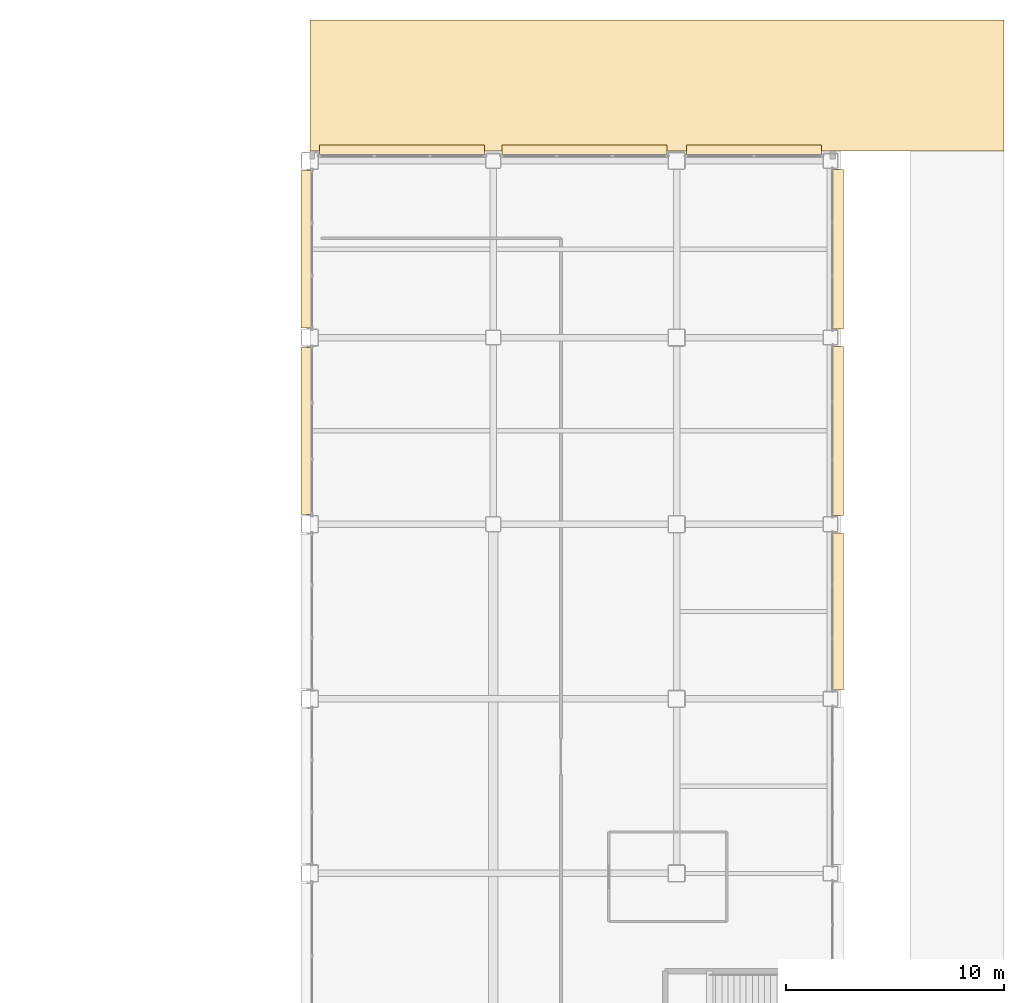
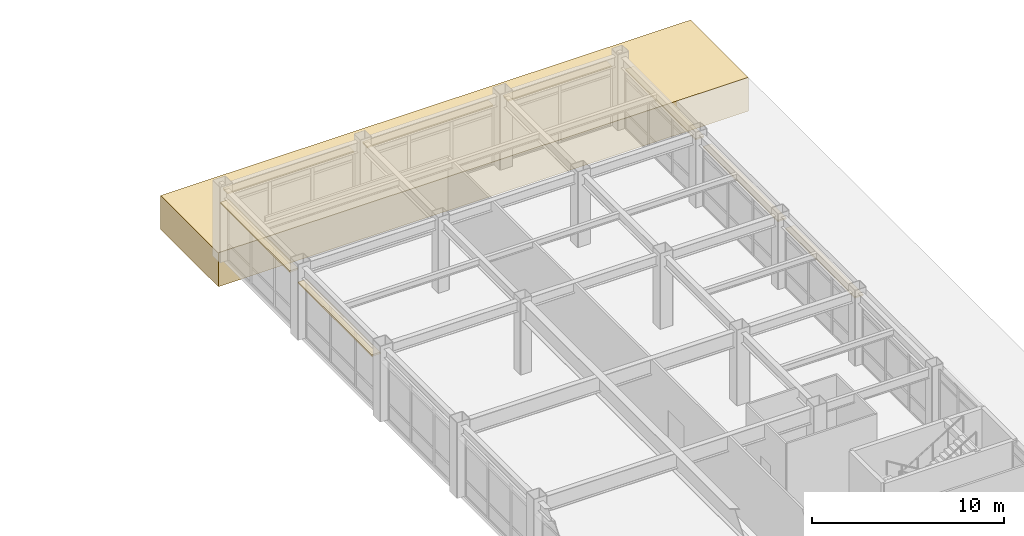
# One storey, part 172 of 172: 9 coverings.
"""IFC4 building model written with IfcOpenShell, lengths in metres."""

import ifcopenshell
import ifcopenshell.guid

model = None  # the IFC model being written
_history = None  # IfcOwnerHistory: only IFC2X3 demands one
_inside = {}  # id of a spatial element -> (the spatial element, [elements in it])
_under = {}  # id of a project, library or spatial element -> (it, [spatial elements below it])
_declared = {}  # id of a project -> (the project, [libraries it declares])
_typed = {}  # id of a type object -> (the type object, [elements of that type])
_made_of = {}  # id of a material, layer set ... -> (it, [elements and type objects made of it])


def new_model(schema):
    """Start an empty IFC model of exactly this schema.

    Asked for "IFC4X3", IfcOpenShell would pick the latest addendum, in which some entities
    have other attributes; the version numbers below select the first issue.
    IFC2X3 requires an IfcOwnerHistory on every rooted entity: one is made here for all.
    """
    global model, _history
    if schema == "IFC4X3":
        model = ifcopenshell.file(schema_version=(4, 3, 0, 0))
    else:
        model = ifcopenshell.file(schema=schema)
    _inside.clear()
    _under.clear()
    _declared.clear()
    _typed.clear()
    _made_of.clear()
    _history = None
    if model.schema == "IFC2X3":
        org = make("IfcOrganization", Name="unknown")
        user = make(
            "IfcPersonAndOrganization",
            ThePerson=make("IfcPerson", FamilyName="unknown"),
            TheOrganization=org,
        )
        app = make(
            "IfcApplication",
            ApplicationDeveloper=org,
            Version="unknown",
            ApplicationFullName="unknown",
            ApplicationIdentifier="unknown",
        )
        _history = make(
            "IfcOwnerHistory",
            OwningUser=user,
            OwningApplication=app,
            ChangeAction="ADDED",
            CreationDate=0,
        )
    return model


def make(cls, **values):
    """One entity of the class cls with the attributes given. An attribute that is None is left unset."""
    return model.create_entity(
        cls, **{name: value for name, value in values.items() if value is not None}
    )


def rooted(cls, **values):
    """An entity with a GlobalId (a new one), such as an element, a storey or a relation."""
    return make(cls, GlobalId=ifcopenshell.guid.new(), OwnerHistory=_history, **values)


def si_unit(unit_type, name, prefix=None):
    """IfcSIUnit, for example si_unit("LENGTHUNIT", "METRE", prefix="MILLI")."""
    return make("IfcSIUnit", UnitType=unit_type, Prefix=prefix, Name=name)


def assignment(units):
    """IfcUnitAssignment: the units of a project."""
    return None if units is None else make("IfcUnitAssignment", Units=units)


def point(xyz):
    """IfcCartesianPoint."""
    return None if xyz is None else make("IfcCartesianPoint", Coordinates=xyz)


def direction(xyz):
    """IfcDirection."""
    return None if xyz is None else make("IfcDirection", DirectionRatios=xyz)


def frame(location, z_axis=None, x_axis=None):
    """IfcAxis2Placement3D, a coordinate frame: its origin and axes. An axis left out is left unset."""
    return make(
        "IfcAxis2Placement3D",
        Location=point(location),
        Axis=direction(z_axis),
        RefDirection=direction(x_axis),
    )


def frame_2d(location, x_axis=None):
    """IfcAxis2Placement2D, a coordinate frame in the plane: its origin and x axis."""
    return make(
        "IfcAxis2Placement2D", Location=point(location), RefDirection=direction(x_axis)
    )


def origin():
    """The frame at (0, 0, 0) with its axes left unset."""
    return frame((0.0, 0.0, 0.0))


def origin_2d():
    """The frame at (0, 0) in the plane with its x axis left unset."""
    return frame_2d((0.0, 0.0))


def place(relative_to, where):
    """IfcLocalPlacement: puts the frame where relative to a parent placement (None: the world)."""
    return make(
        "IfcLocalPlacement", PlacementRelTo=relative_to, RelativePlacement=where
    )


def context(
    kind, dimensions, precision=None, world=None, true_north=None, identifier=None
):
    """IfcGeometricRepresentationContext, for example the 3D "Model" context."""
    return make(
        "IfcGeometricRepresentationContext",
        ContextIdentifier=identifier,
        ContextType=kind,
        CoordinateSpaceDimension=dimensions,
        Precision=precision,
        WorldCoordinateSystem=world,
        TrueNorth=true_north,
    )


def subcontext(parent, identifier, kind, view, scale=None):
    """IfcGeometricRepresentationSubContext, for example "Body" below "Model"."""
    return make(
        "IfcGeometricRepresentationSubContext",
        ContextIdentifier=identifier,
        ContextType=kind,
        ParentContext=parent,
        TargetScale=scale,
        TargetView=view,
    )


def project(units=None, contexts=None):
    """IfcProject with its units and contexts."""
    return rooted(
        "IfcProject",
        Name="project",
        RepresentationContexts=contexts,
        UnitsInContext=assignment(units),
    )


def spatial(cls, under=None, at=None, **own):
    """A site, building, storey or space (cls), placed at a placement, below another one or the project."""
    s = rooted(cls, ObjectPlacement=at, **own)
    if under is not None:
        _under.setdefault(under.id(), (under, []))[1].append(s)
    return s


def polyline(points):
    """IfcPolyline through the points."""
    return make("IfcPolyline", Points=[point(p) for p in points])


def profile(cls, at=None, kind="AREA", **sizes):
    """A parametric profile (cls). Its sizes go by their IFC names, for example OverallWidth=200.0."""
    return make(cls, ProfileType=kind, Position=at, **sizes)


def rectangle(**sizes):
    """IfcRectangleProfileDef."""
    return profile("IfcRectangleProfileDef", **sizes)


def outline(outer, holes=None, kind="AREA"):
    """IfcArbitraryClosedProfileDef: a profile drawn as a closed curve; with holes, ...WithVoids."""
    if holes is None:
        return make("IfcArbitraryClosedProfileDef", ProfileType=kind, OuterCurve=outer)
    return make(
        "IfcArbitraryProfileDefWithVoids",
        ProfileType=kind,
        OuterCurve=outer,
        InnerCurves=holes,
    )


def extrude(swept, where, along, depth):
    """IfcExtrudedAreaSolid: the profile swept, set in the frame where, extruded along a direction by depth."""
    return make(
        "IfcExtrudedAreaSolid",
        SweptArea=swept,
        Position=where,
        ExtrudedDirection=direction(along),
        Depth=depth,
    )


def shape(context_of_items, identifier, shape_type, items):
    """IfcShapeRepresentation: the items that make up one representation, for example the "Body"."""
    return make(
        "IfcShapeRepresentation",
        ContextOfItems=context_of_items,
        RepresentationIdentifier=identifier,
        RepresentationType=shape_type,
        Items=items,
    )


def material(Name=None, Category=None):
    """IfcMaterial."""
    return make("IfcMaterial", Name=Name, Category=Category)


def layer(
    of_material, thickness, ventilated=None, Name=None, Category=None, Priority=None
):
    """IfcMaterialLayer: one layer of a wall or slab, of a material (None: an air gap)."""
    return make(
        "IfcMaterialLayer",
        Material=of_material,
        LayerThickness=thickness,
        IsVentilated=ventilated,
        Name=Name,
        Category=Category,
        Priority=Priority,
    )


def layer_set(layers, Name=None):
    """IfcMaterialLayerSet."""
    return make("IfcMaterialLayerSet", MaterialLayers=layers, LayerSetName=Name)


def made_of(thing, what):
    """Note that an element or type object is made of a material, layer set ...; save() writes the relation."""
    if what is not None:
        _made_of.setdefault(what.id(), (what, []))[1].append(thing)
    return thing


def type_object(cls, material=None, **own):
    """A type object (cls), such as IfcWallType, which elements share."""
    return made_of(rooted(cls, **own), material)


def element(
    cls,
    number,
    at=None,
    inside=None,
    cuts=None,
    type_object=None,
    material=None,
    context=None,
    identifier="Body",
    shape_type=None,
    held_by="IfcProductDefinitionShape",
    body=None,
    shapes=None,
    **own,
):
    """One element of the class cls, such as IfcWall. Its Tag is "e" and its number.

    at: its placement. inside: the storey or other place that contains it. cuts: it is an
    opening in that element (IfcRelVoidsElement). A single representation is given by context,
    identifier, shape_type and body (its items); several are given by shapes. held_by: the class
    of the entity that holds the representations. save() writes the other relations.
    """
    e = rooted(cls, Tag="e%d" % number, ObjectPlacement=at, **own)
    if body is not None:
        shapes = [shape(context, identifier, shape_type, body)]
    if shapes is not None:
        e.Representation = make(held_by, Representations=shapes)
    if inside is not None:
        _inside.setdefault(inside.id(), (inside, []))[1].append(e)
    if cuts is not None:
        rooted(
            "IfcRelVoidsElement", RelatingBuildingElement=cuts, RelatedOpeningElement=e
        )
    if type_object is not None:
        _typed.setdefault(type_object.id(), (type_object, []))[1].append(e)
    return made_of(e, material)


def aggregate(whole, parts):
    """IfcRelAggregates: a whole, such as a stair, and the parts it consists of."""
    return rooted("IfcRelAggregates", RelatingObject=whole, RelatedObjects=parts)


def save(model, path):
    """Write the relations noted so far, then the file.

    IfcRelAggregates (storeys below a building ...), IfcRelContainedInSpatialStructure (elements
    in a storey), IfcRelDefinesByType, IfcRelAssociatesMaterial and IfcRelDeclares: one each for
    every whole, place, type object, material and project.
    """
    for whole, parts in _under.values():
        aggregate(whole, parts)
    for where, things in _inside.values():
        rooted(
            "IfcRelContainedInSpatialStructure",
            RelatedElements=things,
            RelatingStructure=where,
        )
    for kind, things in _typed.values():
        rooted("IfcRelDefinesByType", RelatedObjects=things, RelatingType=kind)
    for what, things in _made_of.values():
        rooted("IfcRelAssociatesMaterial", RelatedObjects=things, RelatingMaterial=what)
    for by, libraries in _declared.values():
        rooted("IfcRelDeclares", RelatingContext=by, RelatedDefinitions=libraries)
    model.write(path)


model = new_model("IFC4")

# Units and contexts
model_context = context("Model", 3, precision=1e-05, world=origin(), true_north=direction((0.0, 1.0)))
body_context = subcontext(model_context, "Body", "Model", "MODEL_VIEW")
ifc_project = project(units=[si_unit("LENGTHUNIT", "METRE"), si_unit("AREAUNIT", "SQUARE_METRE"), si_unit("VOLUMEUNIT", "CUBIC_METRE"), si_unit("PLANEANGLEUNIT", "RADIAN"), si_unit("MASSUNIT", "GRAM", prefix="KILO")], contexts=[model_context])

# Site, building, storey
site_placement = place(None, origin())
site = spatial("IfcSite", under=ifc_project, at=site_placement, CompositionType="ELEMENT")
building_placement = place(site_placement, origin())
building = spatial("IfcBuilding", under=site, at=building_placement, Name="Kazehara Bluff Congress Hotel", CompositionType="ELEMENT")
storey_placement = place(building_placement, frame((0.0, 0.0, 5.39990234375)))
storey = spatial("IfcBuildingStorey", under=building, at=storey_placement, Name="L01", CompositionType="ELEMENT", Elevation=5.39990234375)

# Coverings
ifc_material_1 = material(Name="Anodised aluminium architectural brise-soleil", Category="aluminium")
ifc_layer_1 = layer(ifc_material_1, 0.10009765625)
ifc_layer_set_1 = layer_set([ifc_layer_1], Name="Anodised aluminium architectural brise-soleil")
covering_type_1 = type_object("IfcCoveringType", Name="TP-FAC-FIN", PredefinedType="CLADDING", material=ifc_layer_set_1)
covering_1_placement = place(storey_placement, frame((167.889892578125, 92.89990234375, 3.705078125), z_axis=(0.0, 0.0, 1.0), x_axis=(1.0, 0.0, 0.0)))
element("IfcCovering", 1, at=covering_1_placement, inside=storey, type_object=covering_type_1, Name="L01 V5 architectural sun-hood 63", PredefinedType="CLADDING", context=body_context, shape_type="SweptSolid", body=[
    extrude(rectangle(XDim=0.52001953125, YDim=7.199951171875, at=origin_2d()), origin(), (0.0, 0.0, 1.0), 0.10009765625),
])
covering_2_placement = place(storey_placement, frame((167.889892578125, 101.175048828125, 3.705078125), z_axis=(0.0, 0.0, 1.0), x_axis=(1.0, 0.0, 0.0)))
element("IfcCovering", 2, at=covering_2_placement, inside=storey, type_object=covering_type_1, Name="L01 V5 architectural sun-hood 64", PredefinedType="CLADDING", context=body_context, shape_type="SweptSolid", body=[
    extrude(rectangle(XDim=0.52001953125, YDim=7.75, at=origin_2d()), origin(), (0.0, 0.0, 1.0), 0.10009765625),
])
covering_3_placement = place(storey_placement, frame((167.889892578125, 109.5, 3.705078125), z_axis=(0.0, 0.0, 1.0), x_axis=(1.0, 0.0, 0.0)))
element("IfcCovering", 3, at=covering_3_placement, inside=storey, type_object=covering_type_1, Name="L01 V5 architectural sun-hood 65", PredefinedType="CLADDING", context=body_context, shape_type="SweptSolid", body=[
    extrude(rectangle(XDim=0.52001953125, YDim=7.300048828125, at=origin_2d()), origin(), (0.0, 0.0, 1.0), 0.10009765625),
])
for number, where, z_axis, x_axis, name in (
    (4, (147.925048828125, 114.02001953125, 3.705078125), (0.0, 0.0, 1.0), (1.0, 0.0, 0.0), "L01 V5 architectural sun-hood 66"),
    (5, (156.27490234375, 114.02001953125, 3.705078125), (0.0, 0.0, 1.0), (1.0, 0.0, 0.0), "L01 V5 architectural sun-hood 67"),
):
    element("IfcCovering", number, at=place(storey_placement, frame(where, z_axis=z_axis, x_axis=x_axis)), inside=storey, type_object=covering_type_1, Name=name, PredefinedType="CLADDING", context=body_context, shape_type="SweptSolid", body=[
        extrude(rectangle(XDim=7.550048828125, YDim=0.52001953125, at=origin_2d()), origin(), (0.0, 0.0, 1.0), 0.10009765625),
    ])
covering_4_placement = place(storey_placement, frame((164.050048828125, 114.02001953125, 3.705078125), z_axis=(0.0, 0.0, 1.0), x_axis=(1.0, 0.0, 0.0)))
element("IfcCovering", 6, at=covering_4_placement, inside=storey, type_object=covering_type_1, Name="L01 V5 architectural sun-hood 68", PredefinedType="CLADDING", context=body_context, shape_type="SweptSolid", body=[
    extrude(rectangle(XDim=6.199951171875, YDim=0.52001953125, at=origin_2d()), origin(), (0.0, 0.0, 1.0), 0.10009765625),
])
covering_5_placement = place(storey_placement, frame((143.56005859375, 101.175048828125, 3.655029296875), z_axis=(0.0, 0.0, 1.0), x_axis=(1.0, 0.0, 0.0)))
element("IfcCovering", 7, at=covering_5_placement, inside=storey, type_object=covering_type_1, Name="L01 V5 architectural sun-hood 76", PredefinedType="CLADDING", context=body_context, shape_type="SweptSolid", body=[
    extrude(rectangle(XDim=0.52001953125, YDim=7.64990234375, at=origin_2d()), origin(), (0.0, 0.0, 1.0), 0.10009765625),
])
covering_6_placement = place(storey_placement, frame((143.56005859375, 109.5, 3.804931640625), z_axis=(0.0, 0.0, 1.0), x_axis=(1.0, 0.0, 0.0)))
element("IfcCovering", 8, at=covering_6_placement, inside=storey, type_object=covering_type_1, Name="L01 V5 architectural sun-hood 77", PredefinedType="CLADDING", context=body_context, shape_type="SweptSolid", body=[
    extrude(rectangle(XDim=0.52001953125, YDim=7.199951171875, at=origin_2d()), origin(), (0.0, 0.0, 1.0), 0.10009765625),
])
ifc_material_2 = material(Name="Granite stone site paving", Category="masonry")
ifc_layer_2 = layer(ifc_material_2, 2.14990234375)
ifc_layer_set_2 = layer_set([ifc_layer_2], Name="Granite stone site paving")
covering_type_2 = type_object("IfcCoveringType", Name="TP-SITE-PAV2", PredefinedType="FLOORING", material=ifc_layer_set_2)
covering_7_placement = place(storey_placement, frame((0.0, 0.0, -2.14990234375)))
element("IfcCovering", 9, at=covering_7_placement, inside=storey, type_object=covering_type_2, Name="Osaka bluff granite site terrace PAV-NTH-STEP3", PredefinedType="FLOORING", context=body_context, shape_type="SweptSolid", body=[
    extrude(outline(polyline([(143.699951171875, 114.0), (175.5, 114.0), (175.5, 120.0), (143.699951171875, 120.0), (143.699951171875, 114.0)])), origin(), (0.0, 0.0, 1.0), 2.14990234375),
])

save(model, "model.ifc")
